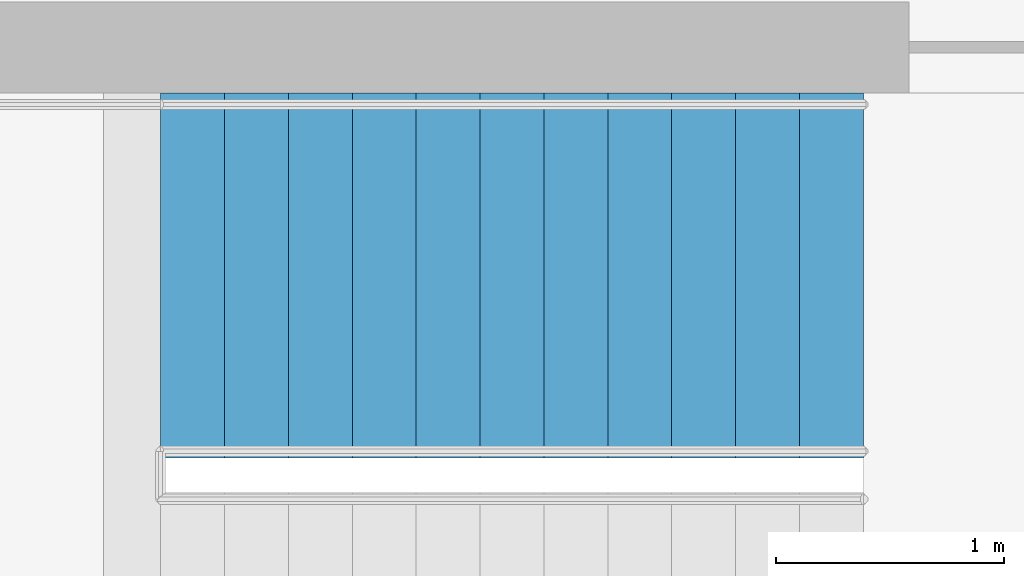
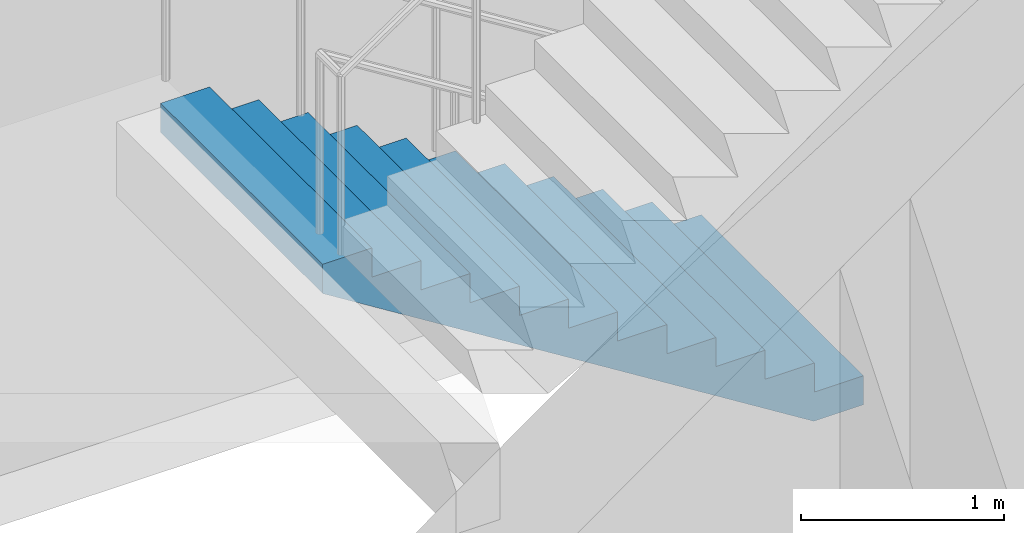
# One storey, part 15 of 19: 1 stair flight, 1 element without a shape of its own.
"""IFC4 building model written with IfcOpenShell, lengths in metres."""

from ifc_helpers import new_model, si_unit, direction, frame, origin, place, context, subcontext, project, spatial, polyline, outline, extrude, material, type_object, element, aggregate, save


model = new_model("IFC4")

# Units and contexts
model_context = context("Model", 3, precision=1e-05, world=origin(), true_north=direction((0.0, 1.0)))
body_context = subcontext(model_context, "Body", "Model", "MODEL_VIEW")
ifc_project = project(units=[si_unit("LENGTHUNIT", "METRE"), si_unit("AREAUNIT", "SQUARE_METRE"), si_unit("VOLUMEUNIT", "CUBIC_METRE"), si_unit("PLANEANGLEUNIT", "RADIAN"), si_unit("MASSUNIT", "GRAM", prefix="KILO")], contexts=[model_context])

# Site, building, storey
site_placement = place(None, origin())
site = spatial("IfcSite", under=ifc_project, at=site_placement, CompositionType="ELEMENT")
building_placement = place(site_placement, origin())
building = spatial("IfcBuilding", under=site, at=building_placement, Name="Cobogo Forest Laboratory Tower", CompositionType="ELEMENT")
storey_placement = place(building_placement, frame((0.0, 0.0, 237.60009765625)))
storey = spatial("IfcBuildingStorey", under=building, at=storey_placement, Name="L54", CompositionType="ELEMENT", Elevation=237.60009765625)

# Stair, stair flight
ifc_material = material(Name="Precast concrete HA-40 (C40/50)", Category="concrete")
stair_type = type_object("IfcStairType", Name="ST24 exit stair 24 risers", PredefinedType="HALF_TURN_STAIR", material=ifc_material)
stair_placement = place(storey_placement, origin())
stair = element("IfcStair", 1, at=stair_placement, inside=storey, type_object=stair_type, Name="Stair 2 L54 to L55", PredefinedType="HALF_TURN_STAIR")
stair_flight_type = type_object("IfcStairFlightType", Name="ST stair flight 280 going", PredefinedType="STRAIGHT", material=ifc_material)
stair_flight_placement = place(storey_placement, frame((37.47509765625, 25.699951171875, 0.0), z_axis=(0.0, 0.0, 1.0), x_axis=(-1.0, 0.0, 0.0)))
stair_flight = element("IfcStairFlight", 2, at=stair_flight_placement, type_object=stair_flight_type, Name="ST2 flight 1", NumberOfRisers=12, NumberOfTreads=11, PredefinedType="STRAIGHT", RiserHeight=0.175, TreadLength=0.28, context=body_context, shape_type="SweptSolid", body=[
    extrude(outline(polyline([(0.0, 0.0), (0.0, 0.175048828125), (0.280029296875, 0.175048828125), (0.280029296875, 0.35009765625), (0.56005859375, 0.35009765625), (0.56005859375, 0.52490234375), (0.840087890625, 0.52490234375), (0.840087890625, 0.699951171875), (1.1201171875, 0.699951171875), (1.1201171875, 0.875), (1.39990234375, 0.875), (1.39990234375, 1.050048828125), (1.679931640625, 1.050048828125), (1.679931640625, 1.22509765625), (1.9599609375, 1.22509765625), (1.9599609375, 1.39990234375), (2.239990234375, 1.39990234375), (2.239990234375, 1.574951171875), (2.52001953125, 1.574951171875), (2.52001953125, 1.75), (2.800048828125, 1.75), (2.800048828125, 1.925048828125), (3.080078125, 1.925048828125), (3.080078125, 2.10009765625), (3.080078125, 1.748291015625), (0.28271484375, 0.0), (0.0, 0.0)])), frame((0.0, 0.800048828125, 0.0), z_axis=(0.0, -1.0, 0.0), x_axis=(1.0, 0.0, 0.0)), (0.0, 0.0, 1.0), 1.60009765625),
])
aggregate(stair, [stair_flight])

save(model, "model.ifc")
